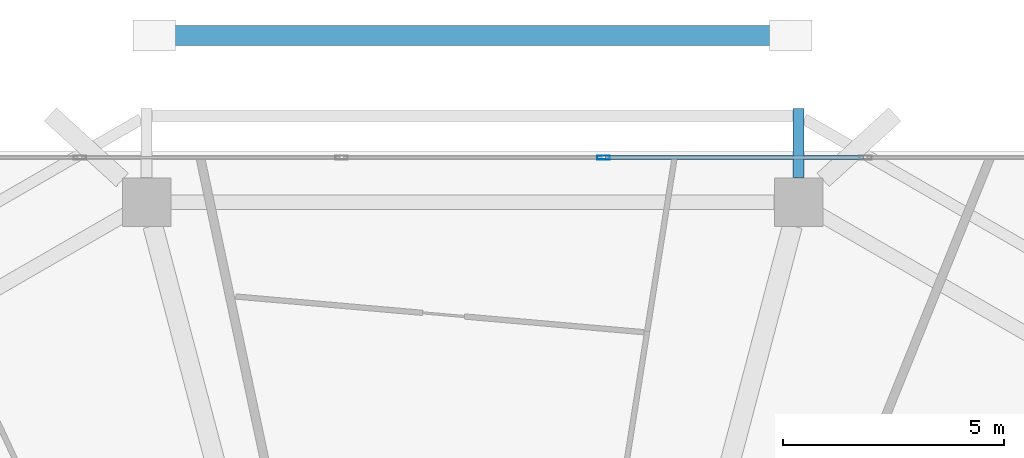
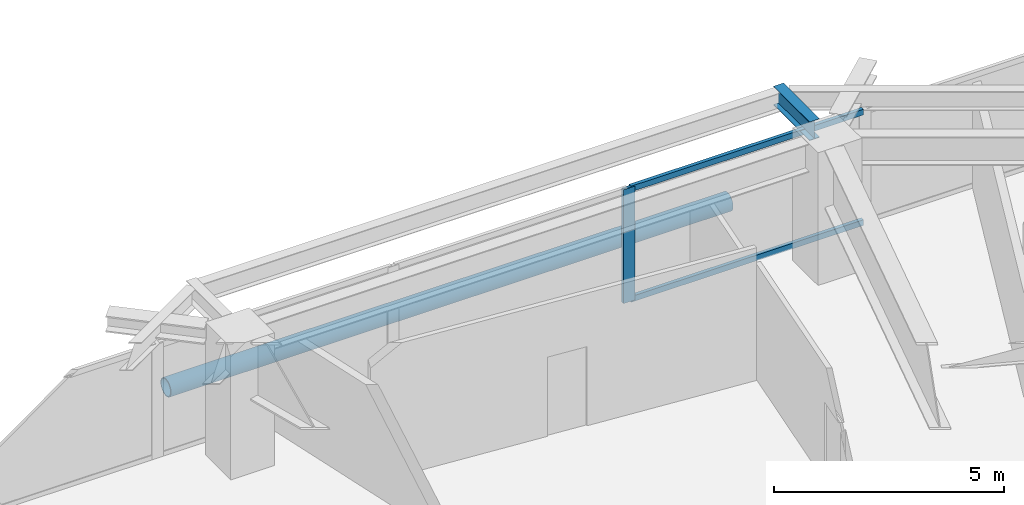
# One storey, part 22 of 33: 4 members, 1 beam, 1 element without a shape of its own.
"""IFC4 building model written with IfcOpenShell, lengths in metres."""

from ifc_helpers import new_model, si_unit, direction, frame, origin, origin_2d, place, context, subcontext, project, spatial, hollow_rectangle, hollow_circle, i_section, extrude, material, material_profile, profile_set, type_object, element, aggregate, save


model = new_model("IFC4")

# Units and contexts
model_context = context("Model", 3, precision=1e-05, world=origin(), true_north=direction((0.0, 1.0)))
body_context = subcontext(model_context, "Body", "Model", "MODEL_VIEW")
ifc_project = project(units=[si_unit("LENGTHUNIT", "METRE"), si_unit("AREAUNIT", "SQUARE_METRE"), si_unit("VOLUMEUNIT", "CUBIC_METRE"), si_unit("PLANEANGLEUNIT", "RADIAN"), si_unit("MASSUNIT", "GRAM", prefix="KILO")], contexts=[model_context])

# Site, building, storey
site_placement = place(None, origin())
site = spatial("IfcSite", under=ifc_project, at=site_placement, CompositionType="ELEMENT")
building_placement = place(site_placement, origin())
building = spatial("IfcBuilding", under=site, at=building_placement, Name="Zuhravey Tower", CompositionType="ELEMENT")
storey_placement = place(building_placement, frame((0.0, 0.0, 141.800048828125)))
storey = spatial("IfcBuildingStorey", under=building, at=storey_placement, Name="L35", CompositionType="ELEMENT", Elevation=141.800048828125)

# Curtain wall, members
ifc_material_1 = material(Name="Thermally broken anodised aluminium", Category="aluminium")
curtain_wall_type = type_object("IfcCurtainWallType", Name="Zone 1-2 Residential Curtain Wall CW3", PredefinedType="NOTDEFINED", material=ifc_material_1)
curtain_wall_placement = place(storey_placement, origin())
curtain_wall = element("IfcCurtainWall", 1, at=curtain_wall_placement, inside=storey, type_object=curtain_wall_type, Name="L35 CW3 CW-L35-F2-1", PredefinedType="NOTDEFINED")
ifc_material_2 = material(Name="Anodised aluminium", Category="aluminium")
ifc_material_profile_1 = material_profile(ifc_material_2, hollow_rectangle(XDim=0.090087890625, YDim=0.284912109375, WallThickness=0.0048828125, at=origin_2d()), Name="ALU-RHS-90x285x5")
ifc_profile_set_1 = profile_set([ifc_material_profile_1], Name="Anodised aluminium")
member_type_1 = type_object("IfcMemberType", Name="Curtain-Wall Mullion 90x180", PredefinedType="MULLION", material=ifc_profile_set_1)
member_1_placement = place(storey_placement, frame((38.9599609375, 60.95849609375, 0.0), z_axis=(0.0, 0.0, 1.0), x_axis=(0.0, 1.0, 0.0)))
member_1 = element("IfcMember", 2, at=member_1_placement, type_object=member_type_1, Name="CW3 mullion 4", PredefinedType="MULLION", context=body_context, shape_type="SweptSolid", body=[
    extrude(hollow_rectangle(XDim=0.090087890625, YDim=0.284912109375, WallThickness=0.0048828125, at=origin_2d()), origin(), (0.0, 0.0, 1.0), 3.02001953125),
])
ifc_material_profile_2 = material_profile(ifc_material_2, hollow_rectangle(XDim=0.090087890625, YDim=0.14990234375, WallThickness=0.0048828125, at=origin_2d()), Name="ALU-RHS-90x150x5")
ifc_profile_set_2 = profile_set([ifc_material_profile_2], Name="Anodised aluminium")
member_type_2 = type_object("IfcMemberType", Name="Curtain-Wall Transom 90x150", PredefinedType="USERDEFINED", material=ifc_profile_set_2)
member_2_placement = place(storey_placement, frame((39.0048828125, 60.95849609375, 0.044921875), z_axis=(1.0, 0.0, 0.0), x_axis=(0.0, 1.0, 0.0)))
member_2 = element("IfcMember", 3, at=member_2_placement, type_object=member_type_2, Name="CW3 transom 4.1", ObjectType="TRANSOM", PredefinedType="USERDEFINED", context=body_context, shape_type="SweptSolid", body=[
    extrude(hollow_rectangle(XDim=0.090087890625, YDim=0.14990234375, WallThickness=0.0048828125, at=origin_2d()), origin(), (0.0, 0.0, 1.0), 5.829833984375),
])
member_3_placement = place(storey_placement, frame((39.0048828125, 60.95849609375, 2.974853515625), z_axis=(1.0, 0.0, 0.0), x_axis=(0.0, 1.0, 0.0)))
member_3 = element("IfcMember", 4, at=member_3_placement, type_object=member_type_2, Name="CW3 transom 4.2", ObjectType="TRANSOM", PredefinedType="USERDEFINED", context=body_context, shape_type="SweptSolid", body=[
    extrude(hollow_rectangle(XDim=0.090087890625, YDim=0.14990234375, WallThickness=0.0048828125, at=origin_2d()), origin(), (0.0, 0.0, 1.0), 5.829833984375),
])
aggregate(curtain_wall, [member_1, member_2, member_3])

# Member
ifc_material_3 = material(Name="Steel SM355", Category="steel")
ifc_material_profile_3 = material_profile(ifc_material_3, hollow_circle(Radius=0.228515625, WallThickness=0.02197265625, at=origin_2d()), Name="CHS-457.2x22")
ifc_profile_set_3 = profile_set([ifc_material_profile_3], Name="Steel SM355")
member_type_3 = type_object("IfcMemberType", Name="Exoskeleton Ring Tie CHS457x22", PredefinedType="CHORD", material=ifc_profile_set_3)
member_4_placement = place(storey_placement, frame((43.053955078125, 63.718505859375, -0.464111328125), z_axis=(-1.0, 0.0, 0.0), x_axis=(0.0, -1.0, 0.0)))
element("IfcMember", 5, at=member_4_placement, inside=storey, type_object=member_type_3, Name="L35 Exoskeleton Face 2 Tie EXR1", PredefinedType="CHORD", context=body_context, shape_type="SweptSolid", body=[
    extrude(hollow_circle(Radius=0.228515625, WallThickness=0.02197265625, at=origin_2d()), origin(), (0.0, 0.0, 1.0), 14.10791015625),
])

# Beam
ifc_material_profile_4 = material_profile(ifc_material_3, i_section(OverallWidth=0.25, OverallDepth=0.5, WebThickness=0.010009765625, FlangeThickness=0.01611328125, at=origin_2d()), Name="H-500x250x10x16")
ifc_profile_set_4 = profile_set([ifc_material_profile_4], Name="Steel SM355")
beam_type = type_object("IfcBeamType", Name="Tray Cantilever Spandrel H500x250", PredefinedType="SPANDREL", material=ifc_profile_set_4)
beam_placement = place(storey_placement, frame((43.3701171875, 60.50244140625, 3.27001953125), z_axis=(0.0, 1.0, 0.0), x_axis=(-1.0, 0.0, 0.0)))
element("IfcBeam", 6, at=beam_placement, inside=storey, type_object=beam_type, Name="L35 Sky-Tray Cantilever Arm TSB1-R03", PredefinedType="SPANDREL", context=body_context, shape_type="SweptSolid", body=[
    extrude(i_section(OverallWidth=0.25, OverallDepth=0.5, WebThickness=0.010009765625, FlangeThickness=0.01611328125, at=origin_2d()), origin(), (0.0, 0.0, 1.0), 1.566162109375),
])

save(model, "model.ifc")
